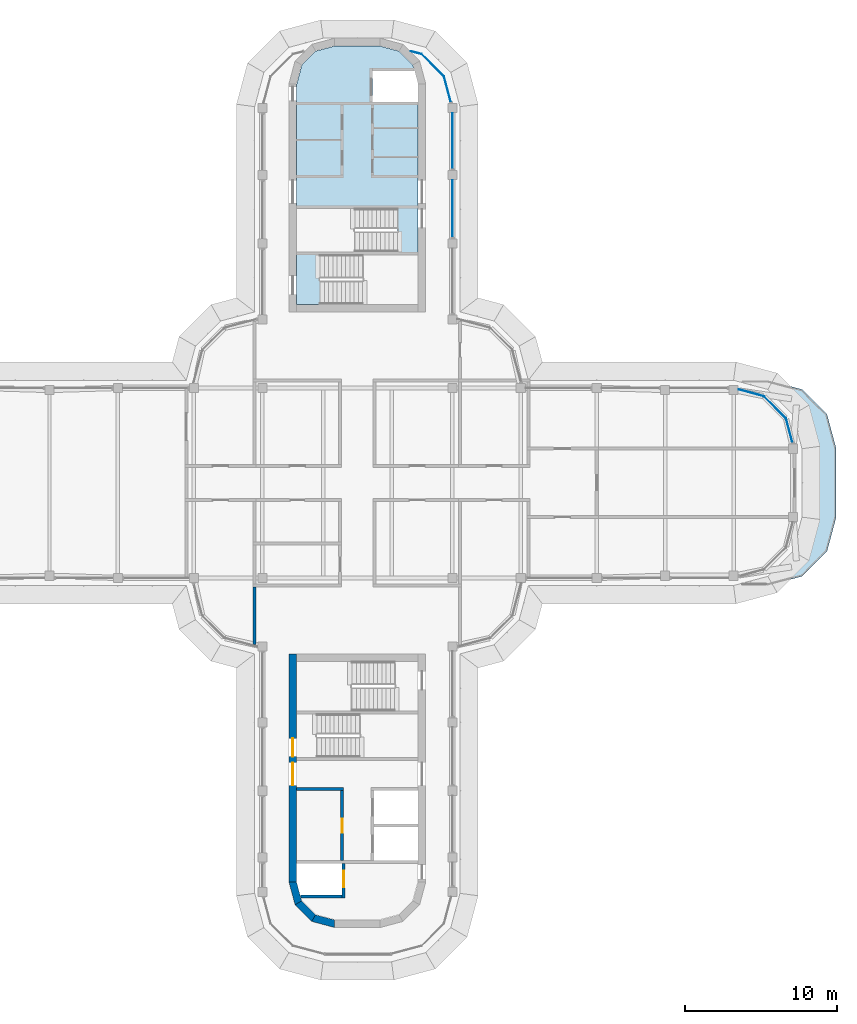
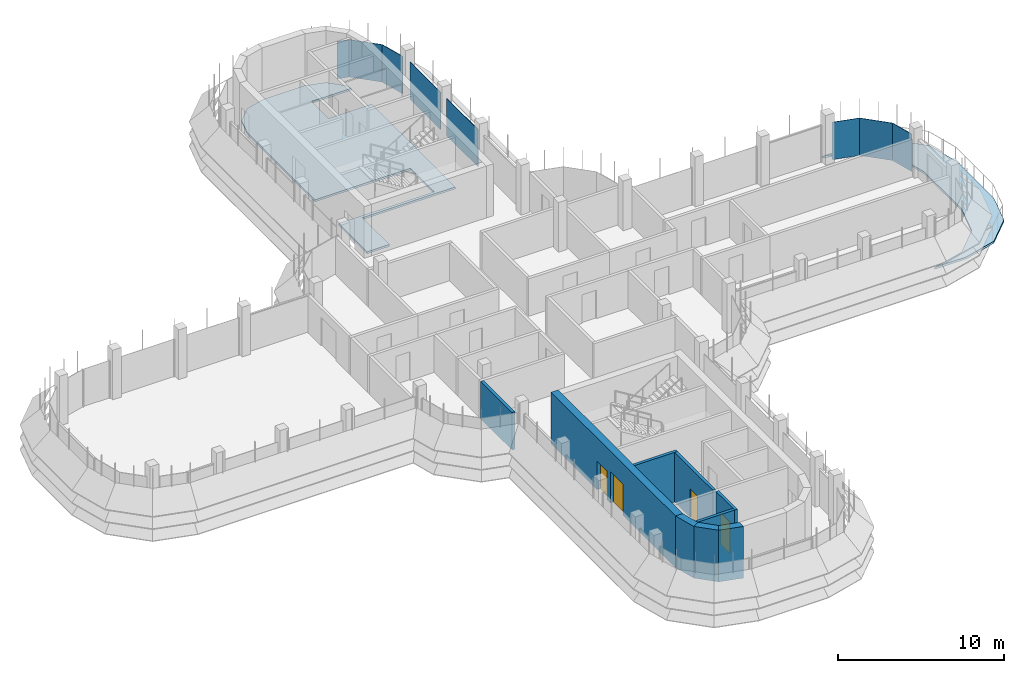
# One storey, part 13 of 20: 9 walls, 8 plates, 4 doors, 2 slabs, 4 openings, 7 elements without a shape of their own.
"""IFC4 building model written with IfcOpenShell, lengths in metres."""

from ifc_helpers import new_model, si_unit, direction, frame, frame_2d, origin, place, context, subcontext, project, spatial, polyline, rectangle, outline, extrude, source, transform, mapped, material, layer, layer_set, type_object, element, fill, aggregate, save


model = new_model("IFC4")

# Units and contexts
model_context = context("Model", 3, precision=1e-05, world=origin(), true_north=direction((0.0, 1.0)))
body_context = subcontext(model_context, "Body", "Model", "MODEL_VIEW")
ifc_project = project(units=[si_unit("LENGTHUNIT", "METRE"), si_unit("AREAUNIT", "SQUARE_METRE"), si_unit("VOLUMEUNIT", "CUBIC_METRE"), si_unit("PLANEANGLEUNIT", "RADIAN"), si_unit("MASSUNIT", "GRAM", prefix="KILO")], contexts=[model_context])

# Site, building, storey
site_placement = place(None, origin())
site = spatial("IfcSite", under=ifc_project, at=site_placement, CompositionType="ELEMENT")
building_placement = place(site_placement, origin())
building = spatial("IfcBuilding", under=site, at=building_placement, Name="Zarbagh Exchange Tower", CompositionType="ELEMENT")
storey_placement = place(building_placement, frame((0.0, 0.0, 249.800048828125)))
storey = spatial("IfcBuildingStorey", under=building, at=storey_placement, Name="L61", CompositionType="ELEMENT", Elevation=249.800048828125)

# Slabs
ifc_material_1 = material(Name="Concrete C40/50", Category="concrete")
ifc_layer_1 = layer(ifc_material_1, 0.14990234375)
ifc_layer_set_1 = layer_set([ifc_layer_1], Name="Core floor slab 150 C40/50")
slab_type_1 = type_object("IfcSlabType", Name="Core floor slab 150 C40/50", PredefinedType="FLOOR", material=ifc_layer_set_1)
slab_1_placement = place(storey_placement, frame((0.0, 0.0, -0.150146484375)))
element("IfcSlab", 1, at=slab_1_placement, inside=storey, type_object=slab_type_1, Name="S17 core N", PredefinedType="FLOOR", context=body_context, shape_type="SweptSolid", body=[
    extrude(outline(polyline([(-4.0, 11.75), (-4.0, 15.199951171875), (2.64990234375, 15.199951171875), (2.64990234375, 18.050048828125), (-4.0, 18.050048828125), (-4.0, 26.18408203125), (-3.64990234375, 27.4912109375), (-2.7412109375, 28.39990234375), (-1.43408203125, 28.75), (1.43408203125, 28.75), (2.7412109375, 28.39990234375), (3.64990234375, 27.4912109375), (3.857666015625, 26.715087890625), (3.754638671875, 27.10009765625), (1.0, 27.10009765625), (1.0, 25.050048828125), (4.0, 25.050048828125), (4.0, 15.0), (-2.449951171875, 15.0), (-2.449951171875, 11.75), (-4.0, 11.75)])), origin(), (0.0, 0.0, 1.0), 0.150146484375),
])
ifc_layer_2 = layer(ifc_material_1, 0.14990234375)
ifc_layer_set_2 = layer_set([ifc_layer_2], Name="Step terrace roof slab 150 C40/50")
slab_type_2 = type_object("IfcSlabType", Name="Step terrace roof slab 150 C40/50", PredefinedType="ROOF", material=ifc_layer_set_2)
slab_2_placement = place(storey_placement, frame((0.0, 0.0, -0.150146484375)))
element("IfcSlab", 2, at=slab_2_placement, inside=storey, type_object=slab_type_2, Name="S10 step terrace roof slab", PredefinedType="ROOF", context=body_context, shape_type="SweptSolid", body=[
    extrude(outline(polyline([(27.0, 6.75), (29.25, 6.147216796875), (30.897216796875, 4.5), (31.5, 2.25), (31.5, -2.25), (30.897216796875, -4.5), (29.25, -6.147216796875), (27.0, -6.75), (24.75, -6.75), (27.0, -6.147216796875), (28.647216796875, -4.5), (29.25, -2.25), (29.25, 2.25), (28.647216796875, 4.5), (27.0, 6.147216796875), (24.75, 6.75), (27.0, 6.75)])), origin(), (0.0, 0.0, 1.0), 0.150146484375),
])

# Curtain wall, plate
ifc_material_2 = material(Name="Anodised aluminium frame and glazing", Category="aluminium")
curtain_wall_type = type_object("IfcCurtainWallType", Name="CWB Ribbon glazing, upper zones", PredefinedType="NOTDEFINED", material=ifc_material_2)
curtain_wall_1_placement = place(storey_placement, origin())
curtain_wall_1 = element("IfcCurtainWall", 3, at=curtain_wall_1_placement, inside=storey, type_object=curtain_wall_type, Name="CWB80 curtain wall", PredefinedType="NOTDEFINED")
ifc_material_3 = material(Name="Low-e double glazed unit, 6+12+6 mm")
ifc_layer_3 = layer(ifc_material_3, 0.031982421875)
ifc_layer_set_3 = layer_set([ifc_layer_3], Name="PAB Glazing panel, Low-e double glazed unit, 6+12+6 mm")
plate_type = type_object("IfcPlateType", Name="PAB Glazing panel, Low-e double glazed unit, 6+12+6 mm", PredefinedType="CURTAIN_PANEL", material=ifc_layer_set_3)
shared_shape_1 = source(origin(), body_context, "Body", "SweptSolid", [
    extrude(outline(polyline([(0.0, -0.01611328125), (2.061279296875, -0.01611328125), (2.061279296875, 0.01611328125), (0.0, 0.01611328125), (0.0, -0.01611328125)])), origin(), (0.0, 0.0, 1.0), 2.75),
])
placement = place(storey_placement, origin())
plate_1 = element("IfcPlate", 4, at=placement, type_object=plate_type, Name="CWB80 glazing panel 1.1", PredefinedType="CURTAIN_PANEL", context=body_context, shape_type="MappedRepresentation", body=[
    mapped(shared_shape_1, transform((28.19873046875, 4.2412109375, 0.0), x_axis=(-0.707106781187, 0.707106781187, 0.0), y_axis=(-0.707106781187, -0.707106781187, 0.0), z_axis=(0.0, 0.0, 1.0))),
])
aggregate(curtain_wall_1, [plate_1])

curtain_wall_2_placement = place(storey_placement, origin())
curtain_wall_2 = element("IfcCurtainWall", 5, at=curtain_wall_2_placement, inside=storey, type_object=curtain_wall_type, Name="CWB74 curtain wall", PredefinedType="NOTDEFINED")
plate_2 = element("IfcPlate", 6, at=placement, type_object=plate_type, Name="CWB74 glazing panel 1.1", PredefinedType="CURTAIN_PANEL", context=body_context, shape_type="MappedRepresentation", body=[
    mapped(shared_shape_1, transform((5.69873046875, 26.7412109375, 0.0), x_axis=(-0.707106781187, 0.707106781187, 0.0), y_axis=(-0.707106781187, -0.707106781187, 0.0), z_axis=(0.0, 0.0, 1.0))),
])
aggregate(curtain_wall_2, [plate_2])

curtain_wall_3_placement = place(storey_placement, origin())
curtain_wall_3 = element("IfcCurtainWall", 7, at=curtain_wall_3_placement, inside=storey, type_object=curtain_wall_type, Name="CWB81 curtain wall", PredefinedType="NOTDEFINED")
shared_shape_2 = source(origin(), body_context, "Body", "SweptSolid", [
    extrude(outline(polyline([(0.0, -0.01611328125), (1.70947265625, -0.01611328125), (1.70947265625, 0.01611328125), (0.0, 0.01611328125), (0.0, -0.01611328125)])), origin(), (0.0, 0.0, 1.0), 2.75),
])
plate_3 = element("IfcPlate", 8, at=placement, type_object=plate_type, Name="CWB81 glazing panel 1.1", PredefinedType="CURTAIN_PANEL", context=body_context, shape_type="MappedRepresentation", body=[
    mapped(shared_shape_2, transform((26.7412109375, 5.69873046875, 0.0), x_axis=(-0.965924289636, 0.258824779902, 0.0), y_axis=(-0.258824779902, -0.965924289636, 0.0), z_axis=(0.0, 0.0, 1.0))),
])
aggregate(curtain_wall_3, [plate_3])

curtain_wall_4_placement = place(storey_placement, origin())
curtain_wall_4 = element("IfcCurtainWall", 9, at=curtain_wall_4_placement, inside=storey, type_object=curtain_wall_type, Name="CWB79 curtain wall", PredefinedType="NOTDEFINED")
shared_shape_3 = source(origin(), body_context, "Body", "SweptSolid", [
    extrude(outline(polyline([(0.0, -0.01611328125), (1.6494140625, -0.01611328125), (1.6494140625, 0.01611328125), (0.0, 0.01611328125), (0.0, -0.01611328125)])), origin(), (0.0, 0.0, 1.0), 2.75),
])
plate_4 = element("IfcPlate", 10, at=placement, type_object=plate_type, Name="CWB79 glazing panel 1.1", PredefinedType="CURTAIN_PANEL", context=body_context, shape_type="MappedRepresentation", body=[
    mapped(shared_shape_3, transform((28.625732421875, 2.64794921875, 0.0), x_axis=(-0.258824779902, 0.965924289636, 0.0), y_axis=(-0.965924289636, -0.258824779902, 0.0), z_axis=(0.0, 0.0, 1.0))),
])
aggregate(curtain_wall_4, [plate_4])

curtain_wall_5_placement = place(storey_placement, origin())
curtain_wall_5 = element("IfcCurtainWall", 11, at=curtain_wall_5_placement, inside=storey, type_object=curtain_wall_type, Name="CWB67 curtain wall", PredefinedType="NOTDEFINED")
shared_shape_4 = source(origin(), body_context, "Body", "SweptSolid", [
    extrude(outline(polyline([(0.0, -0.01611328125), (3.659912109375, -0.01611328125), (3.659912109375, 0.01611328125), (0.0, 0.01611328125), (0.0, -0.01611328125)])), origin(), (0.0, 0.0, 1.0), 2.75),
])
plate_5 = element("IfcPlate", 12, at=placement, type_object=plate_type, Name="CWB67 glazing panel 3.1", PredefinedType="CURTAIN_PANEL", context=body_context, shape_type="MappedRepresentation", body=[
    mapped(shared_shape_4, transform((6.25, 20.650146484375, 0.0), x_axis=(0.0, 1.0, 0.0), y_axis=(-1.0, 0.0, 0.0), z_axis=(0.0, 0.0, 1.0))),
])

curtain_wall_6_placement = place(storey_placement, origin())
curtain_wall_6 = element("IfcCurtainWall", 13, at=curtain_wall_6_placement, inside=storey, type_object=curtain_wall_type, Name="CWB69 curtain wall", PredefinedType="NOTDEFINED")
shared_shape_5 = source(origin(), body_context, "Body", "SweptSolid", [
    extrude(outline(polyline([(0.0, -0.01611328125), (0.757080078125, -0.01611328125), (0.757080078125, 0.01611328125), (0.0, 0.01611328125), (0.0, -0.01611328125)])), origin(), (0.0, 0.0, 1.0), 2.75),
])
plate_6 = element("IfcPlate", 14, at=placement, type_object=plate_type, Name="CWB69 glazing panel 1.1", PredefinedType="CURTAIN_PANEL", context=body_context, shape_type="MappedRepresentation", body=[
    mapped(shared_shape_5, transform((4.2412109375, 28.19873046875, 0.0), x_axis=(-0.965924289636, 0.258824779902, 0.0), y_axis=(-0.258824779902, -0.965924289636, 0.0), z_axis=(0.0, 0.0, 1.0))),
])
aggregate(curtain_wall_6, [plate_6])

# Plate
shared_shape_6 = source(origin(), body_context, "Body", "SweptSolid", [
    extrude(outline(polyline([(0.0, -0.01611328125), (3.760009765625, -0.01611328125), (3.760009765625, 0.01611328125), (0.0, 0.01611328125), (0.0, -0.01611328125)])), origin(), (0.0, 0.0, 1.0), 2.75),
])
plate_7 = element("IfcPlate", 15, at=placement, type_object=plate_type, Name="CWB67 glazing panel 2.1", PredefinedType="CURTAIN_PANEL", context=body_context, shape_type="MappedRepresentation", body=[
    mapped(shared_shape_6, transform((6.25, 16.150146484375, 0.0), x_axis=(0.0, 1.0, 0.0), y_axis=(-1.0, 0.0, 0.0), z_axis=(0.0, 0.0, 1.0))),
])

aggregate(curtain_wall_5, [plate_7, plate_5])

# Curtain wall, plate
curtain_wall_7_placement = place(storey_placement, origin())
curtain_wall_7 = element("IfcCurtainWall", 16, at=curtain_wall_7_placement, inside=storey, type_object=curtain_wall_type, Name="CWB68 curtain wall", PredefinedType="NOTDEFINED")
shared_shape_7 = source(origin(), body_context, "Body", "SweptSolid", [
    extrude(outline(polyline([(0.0, -0.01611328125), (1.7529296875, -0.01611328125), (1.7529296875, 0.01611328125), (0.0, 0.01611328125), (0.0, -0.01611328125)])), origin(), (0.0, 0.0, 1.0), 2.75),
])
plate_8 = element("IfcPlate", 17, at=placement, type_object=plate_type, Name="CWB68 glazing panel 1.1", PredefinedType="CURTAIN_PANEL", context=body_context, shape_type="MappedRepresentation", body=[
    mapped(shared_shape_7, transform((6.152587890625, 25.0478515625, 0.0), x_axis=(-0.258824779902, 0.965924289636, 0.0), y_axis=(-0.965924289636, -0.258824779902, 0.0), z_axis=(0.0, 0.0, 1.0))),
])
aggregate(curtain_wall_7, [plate_8])

# Walls
ifc_material_4 = material(Name="Fire-rated plasterboard partition")
ifc_layer_4 = layer(ifc_material_4, 0.199951171875)
ifc_layer_set_4 = layer_set([ifc_layer_4], Name="RATED PARTITION 200")
wall_type_1 = type_object("IfcWallType", Name="RATED PARTITION 200", PredefinedType="PARTITIONING", material=ifc_layer_set_4)
wall_1_placement = place(storey_placement, frame((-6.75, -10.6298828125, 0.0), z_axis=(0.0, 0.0, 1.0), x_axis=(0.0, 1.0, 0.0)))
element("IfcWall", 18, at=wall_1_placement, inside=storey, type_object=wall_type_1, Name="Partition W-2622", PredefinedType="PARTITIONING", context=body_context, shape_type="SweptSolid", body=[
    extrude(rectangle(XDim=3.77978515625, YDim=0.199951171875, at=frame_2d((1.889892578125, 0.0))), origin(), (0.0, 0.0, 1.0), 2.75),
])
ifc_layer_5 = layer(ifc_material_1, 0.5)
ifc_layer_set_5 = layer_set([ifc_layer_5], Name="RC core corner wall 500 C40/50")
wall_type_2 = type_object("IfcWallType", Name="RC core corner wall 500 C40/50", PredefinedType="SHEAR", material=ifc_layer_set_5)
wall_2_placement = place(storey_placement, origin())
element("IfcWall", 19, at=wall_2_placement, inside=storey, type_object=wall_type_2, Name="CW10 core S corner W", PredefinedType="SHEAR", context=body_context, shape_type="SweptSolid", body=[
    extrude(outline(polyline([(-4.5, -26.25), (-4.09814453125, -27.75), (-3.6650390625, -27.5), (-4.0, -26.25), (-4.5, -26.25)])), origin(), (0.0, 0.0, 1.0), 3.800048828125),
])
wall_3_placement = place(storey_placement, origin())
element("IfcWall", 20, at=wall_3_placement, inside=storey, type_object=wall_type_2, Name="CW10 core S corner W", PredefinedType="SHEAR", context=body_context, shape_type="SweptSolid", body=[
    extrude(outline(polyline([(-4.09814453125, -27.75), (-3.0, -28.84814453125), (-2.75, -28.4150390625), (-3.6650390625, -27.5), (-4.09814453125, -27.75)])), origin(), (0.0, 0.0, 1.0), 3.800048828125),
])
wall_4_placement = place(storey_placement, origin())
element("IfcWall", 21, at=wall_4_placement, inside=storey, type_object=wall_type_2, Name="CW10 core S corner W", PredefinedType="SHEAR", context=body_context, shape_type="SweptSolid", body=[
    extrude(outline(polyline([(-3.0, -28.84814453125), (-1.5, -29.25), (-1.5, -28.75), (-2.75, -28.4150390625), (-3.0, -28.84814453125)])), origin(), (0.0, 0.0, 1.0), 3.800048828125),
])

# Wall, openings, doors
ifc_layer_6 = layer(ifc_material_1, 0.5)
ifc_layer_set_6 = layer_set([ifc_layer_6], Name="RC core wall 500 C40/50")
wall_type_3 = type_object("IfcWallType", Name="RC core wall 500 C40/50", PredefinedType="SHEAR", material=ifc_layer_set_6)
wall_5_placement = place(storey_placement, frame((-4.25, -11.25, 0.0), z_axis=(0.0, 0.0, 1.0), x_axis=(0.0, -1.0, 0.0)))
wall_5 = element("IfcWall", 22, at=wall_5_placement, inside=storey, type_object=wall_type_3, Name="CW9 core S W", PredefinedType="SHEAR", context=body_context, shape_type="SweptSolid", body=[
    extrude(rectangle(XDim=15.0, YDim=0.5, at=frame_2d((7.5, 0.0))), origin(), (0.0, 0.0, 1.0), 3.800048828125),
])
opening_1_placement = place(wall_5_placement, frame((7.14990234375, 0.0, 0.0)))
opening_1 = element("IfcOpeningElement", 23, at=opening_1_placement, cuts=wall_5, Name="Opening CD1-1500", PredefinedType="OPENING", context=body_context, shape_type="SweptSolid", body=[
    extrude(rectangle(XDim=1.5, YDim=2.300048828125, at=frame_2d((0.75, 1.14990234375))), frame((0.0, 0.260009765625, 0.0), z_axis=(0.0, -1.0, 0.0), x_axis=(1.0, 0.0, 0.0)), (0.0, 0.0, 1.0), 0.52001953125),
])
opening_2_placement = place(wall_5_placement, frame((5.550048828125, 0.0, 0.0)))
opening_2 = element("IfcOpeningElement", 24, at=opening_2_placement, cuts=wall_5, Name="Opening SD1-1200", PredefinedType="OPENING", context=body_context, shape_type="SweptSolid", body=[
    extrude(rectangle(XDim=1.199951171875, YDim=2.10009765625, at=frame_2d((0.60009765625, 1.050048828125))), frame((0.0, 0.260009765625, 0.0), z_axis=(0.0, -1.0, 0.0), x_axis=(1.0, 0.0, 0.0)), (0.0, 0.0, 1.0), 0.52001953125),
])
ifc_material_5 = material(Name="Steel", Category="steel")
door_type_1 = type_object("IfcDoorType", Name="Exit stair door 1200 x 2100", OperationType="NOTDEFINED", PredefinedType="DOOR", material=ifc_material_5)
door_1_placement = place(opening_2_placement, origin())
door_1 = element("IfcDoor", 25, at=door_1_placement, inside=storey, type_object=door_type_1, Name="South core stair door ST1", OperationType="SINGLE_SWING_LEFT", OverallHeight=2.10009765625, OverallWidth=1.199951171875, PredefinedType="DOOR", context=body_context, shape_type="SweptSolid", body=[
    extrude(rectangle(XDim=1.199951171875, YDim=2.10009765625, at=frame_2d((0.60009765625, 1.050048828125))), frame((0.0, 0.02490234375, 0.0), z_axis=(0.0, -1.0, 0.0), x_axis=(1.0, 0.0, 0.0)), (0.0, 0.0, 1.0), 0.050048828125),
])
fill(opening_2, door_1)
door_type_2 = type_object("IfcDoorType", Name="Lift lobby double door 1500 x 2300", OperationType="NOTDEFINED", PredefinedType="DOOR", material=ifc_material_5)
door_2_placement = place(opening_1_placement, origin())
door_2 = element("IfcDoor", 26, at=door_2_placement, inside=storey, type_object=door_type_2, Name="South core lift lobby door LOBBY-E", OperationType="DOUBLE_DOOR_SINGLE_SWING", OverallHeight=2.300048828125, OverallWidth=1.5, PredefinedType="DOOR", context=body_context, shape_type="SweptSolid", body=[
    extrude(rectangle(XDim=1.5, YDim=2.300048828125, at=frame_2d((0.75, 1.14990234375))), frame((0.0, 0.02490234375, 0.0), z_axis=(0.0, -1.0, 0.0), x_axis=(1.0, 0.0, 0.0)), (0.0, 0.0, 1.0), 0.050048828125),
])
fill(opening_1, door_2)

# Wall
ifc_material_6 = material(Name="Dense blockwork", Category="masonry")
ifc_layer_7 = layer(ifc_material_6, 0.199951171875)
ifc_layer_set_7 = layer_set([ifc_layer_7], Name="Shaft wall 200 mm blockwork")
wall_type_4 = type_object("IfcWallType", Name="Shaft wall 200 mm blockwork", PredefinedType="PARTITIONING", material=ifc_layer_set_7)
wall_6_placement = place(storey_placement, frame((-0.89990234375, -20.14990234375, 0.0), z_axis=(0.0, 0.0, 1.0), x_axis=(-1.0, 0.0, 0.0)))
element("IfcWall", 27, at=wall_6_placement, inside=storey, type_object=wall_type_4, Name="South core shaft wall AB-E", PredefinedType="PARTITIONING", context=body_context, shape_type="SweptSolid", body=[
    extrude(rectangle(XDim=3.10009765625, YDim=0.199951171875, at=frame_2d((1.550048828125, 0.0))), origin(), (0.0, 0.0, 1.0), 3.64990234375),
])

# Wall, opening, door
wall_7_placement = place(storey_placement, frame((-1.0, -24.85009765625, 0.0), z_axis=(0.0, 0.0, 1.0), x_axis=(0.0, 1.0, 0.0)))
wall_7 = element("IfcWall", 28, at=wall_7_placement, inside=storey, type_object=wall_type_4, Name="South core shaft wall LW-E", PredefinedType="PARTITIONING", context=body_context, shape_type="SweptSolid", body=[
    extrude(rectangle(XDim=4.60009765625, YDim=0.199951171875, at=frame_2d((2.300048828125, 0.0))), origin(), (0.0, 0.0, 1.0), 3.64990234375),
])
opening_3_placement = place(wall_7_placement, frame((1.85009765625, 0.0, 0.0)))
opening_3 = element("IfcOpeningElement", 29, at=opening_3_placement, cuts=wall_7, Name="Opening CD3-900", PredefinedType="OPENING", context=body_context, shape_type="SweptSolid", body=[
    extrude(rectangle(XDim=0.89990234375, YDim=2.10009765625, at=frame_2d((0.449951171875, 1.050048828125))), frame((0.0, 0.10986328125, 0.0), z_axis=(0.0, -1.0, 0.0), x_axis=(1.0, 0.0, 0.0)), (0.0, 0.0, 1.0), 0.219970703125),
])
door_type_3 = type_object("IfcDoorType", Name="Core room door 900 x 2100", OperationType="NOTDEFINED", PredefinedType="DOOR", material=ifc_material_5)
door_3_placement = place(opening_3_placement, origin())
door_3 = element("IfcDoor", 30, at=door_3_placement, inside=storey, type_object=door_type_3, Name="South core Riser store door RD-E-0", OperationType="SINGLE_SWING_LEFT", OverallHeight=2.10009765625, OverallWidth=0.89990234375, PredefinedType="DOOR", context=body_context, shape_type="SweptSolid", body=[
    extrude(rectangle(XDim=0.89990234375, YDim=2.10009765625, at=frame_2d((0.449951171875, 1.050048828125))), frame((0.0, 0.02490234375, 0.0), z_axis=(0.0, -1.0, 0.0), x_axis=(1.0, 0.0, 0.0)), (0.0, 0.0, 1.0), 0.050048828125),
])
fill(opening_3, door_3)

ifc_layer_8 = layer(ifc_material_1, 0.199951171875)
ifc_layer_set_8 = layer_set([ifc_layer_8], Name="Stair enclosure wall 200 mm RC C40/50")
wall_type_5 = type_object("IfcWallType", Name="Stair enclosure wall 200 mm RC C40/50", PredefinedType="SHEAR", material=ifc_layer_set_8)
wall_8_placement = place(storey_placement, frame((-0.89990234375, -27.300048828125, 0.0), z_axis=(0.0, 0.0, 1.0), x_axis=(0.0, 1.0, 0.0)))
wall_8 = element("IfcWall", 31, at=wall_8_placement, inside=storey, type_object=wall_type_5, Name="South core lift shaft wall FFL", PredefinedType="SHEAR", context=body_context, shape_type="SweptSolid", body=[
    extrude(rectangle(XDim=2.25, YDim=0.199951171875, at=frame_2d((1.125, 0.0))), origin(), (0.0, 0.0, 1.0), 3.64990234375),
])
opening_4_placement = place(wall_8_placement, frame((0.699951171875, 0.0, 0.0)))
opening_4 = element("IfcOpeningElement", 32, at=opening_4_placement, cuts=wall_8, Name="Opening LD-1100", PredefinedType="OPENING", context=body_context, shape_type="SweptSolid", body=[
    extrude(rectangle(XDim=1.10009765625, YDim=2.300048828125, at=frame_2d((0.550048828125, 1.14990234375))), frame((0.0, 0.10986328125, 0.0), z_axis=(0.0, -1.0, 0.0), x_axis=(1.0, 0.0, 0.0)), (0.0, 0.0, 1.0), 0.219970703125),
])
ifc_material_7 = material(Name="Stainless steel", Category="steel")
door_type_4 = type_object("IfcDoorType", Name="Lift landing door 1100 x 2300", OperationType="NOTDEFINED", PredefinedType="DOOR", material=ifc_material_7)
door_4_placement = place(opening_4_placement, origin())
door_4 = element("IfcDoor", 33, at=door_4_placement, inside=storey, type_object=door_type_4, Name="South core lift landing door LD-F", OperationType="DOUBLE_DOOR_SLIDING", OverallHeight=2.300048828125, OverallWidth=1.10009765625, PredefinedType="DOOR", context=body_context, shape_type="SweptSolid", body=[
    extrude(rectangle(XDim=1.10009765625, YDim=2.300048828125, at=frame_2d((0.550048828125, 1.14990234375))), frame((0.0, 0.02490234375, 0.0), z_axis=(0.0, -1.0, 0.0), x_axis=(1.0, 0.0, 0.0)), (0.0, 0.0, 1.0), 0.050048828125),
])
fill(opening_4, door_4)

# Wall
wall_9_placement = place(storey_placement, origin())
element("IfcWall", 34, at=wall_9_placement, inside=storey, type_object=wall_type_5, Name="South core lift shaft wall FFX", PredefinedType="SHEAR", context=body_context, shape_type="SweptSolid", body=[
    extrude(outline(polyline([(-1.0, -27.10009765625), (-3.754638671875, -27.10009765625), (-3.700927734375, -27.300048828125), (-1.0, -27.300048828125), (-1.0, -27.10009765625)])), origin(), (0.0, 0.0, 1.0), 3.64990234375),
])

save(model, "model.ifc")
